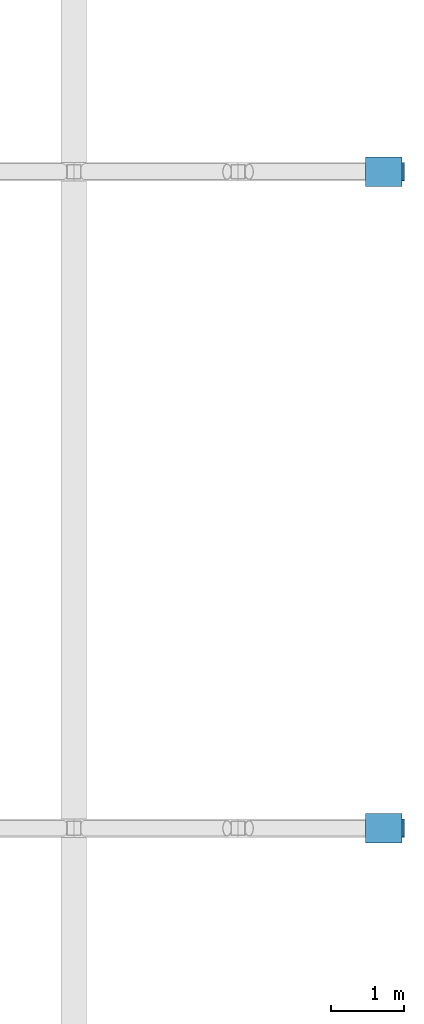
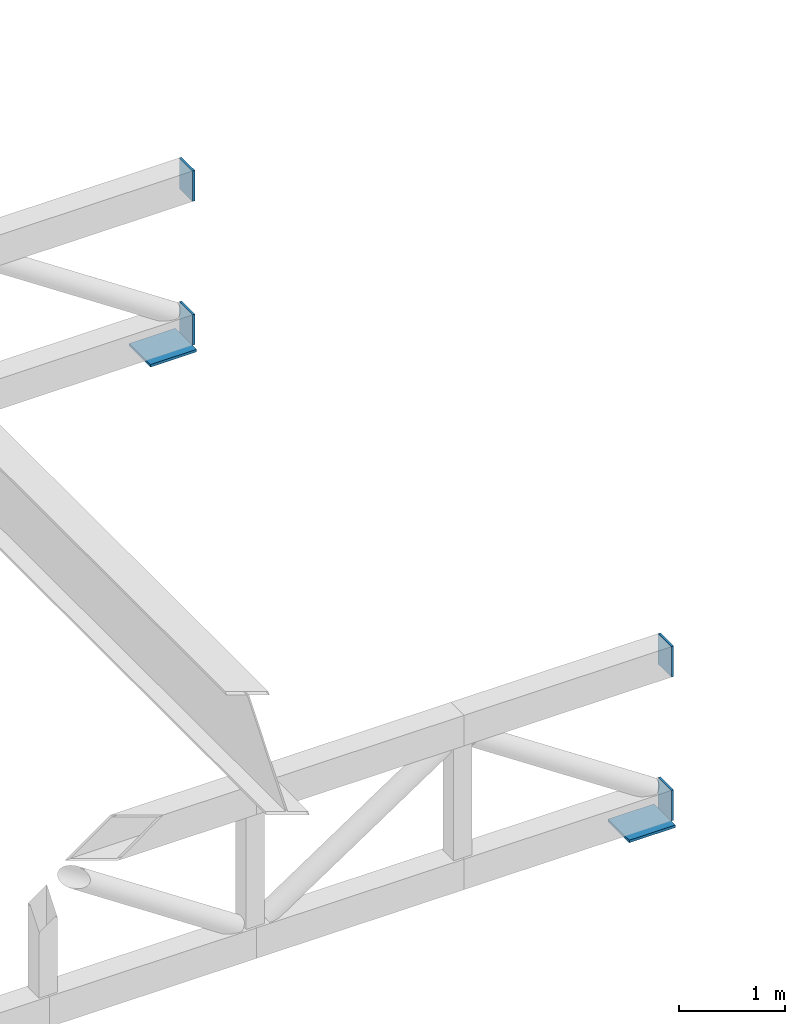
# One storey, part 18 of 20: 6 discrete accessories.
"""IFC4 building model written with IfcOpenShell, lengths in metres."""

from ifc_helpers import new_model, si_unit, direction, frame, origin, origin_2d, place, context, subcontext, project, spatial, rectangle, extrude, material, material_profile, profile_set, type_object, element, save


model = new_model("IFC4")

# Units and contexts
model_context = context("Model", 3, precision=1e-05, world=origin(), true_north=direction((0.0, 1.0)))
body_context = subcontext(model_context, "Body", "Model", "MODEL_VIEW")
ifc_project = project(units=[si_unit("LENGTHUNIT", "METRE"), si_unit("AREAUNIT", "SQUARE_METRE"), si_unit("VOLUMEUNIT", "CUBIC_METRE"), si_unit("PLANEANGLEUNIT", "RADIAN"), si_unit("MASSUNIT", "GRAM", prefix="KILO")], contexts=[model_context])

# Site, building, storey
site_placement = place(None, origin())
site = spatial("IfcSite", under=ifc_project, at=site_placement, CompositionType="ELEMENT")
building_placement = place(site_placement, origin())
building = spatial("IfcBuilding", under=site, at=building_placement, Name="Firuza Court", CompositionType="ELEMENT")
storey_placement = place(building_placement, frame((0.0, 0.0, 29.0)))
storey = spatial("IfcBuildingStorey", under=building, at=storey_placement, Name="L05", CompositionType="ELEMENT", Elevation=29.0)

# Discrete accessories
ifc_material_1 = material(Name="Steel S355", Category="steel")
discrete_accessory_type_1 = type_object("IfcDiscreteAccessoryType", Name="CAST-IN PLATE 500X400", PredefinedType="ANCHORPLATE", material=ifc_material_1)
for number, where, z_axis, x_axis, name in (
    (1, (134.75, 31.5, 0.97021484375), (0.0, 0.0, 1.0), (1.0, 0.0, 0.0), "Truss 1 cast-in plate"),
    (2, (134.75, 40.5, 0.97021484375), (0.0, 0.0, 1.0), (1.0, 0.0, 0.0), "Truss 2 cast-in plate"),
):
    element("IfcDiscreteAccessory", number, at=place(storey_placement, frame(where, z_axis=z_axis, x_axis=x_axis)), inside=storey, type_object=discrete_accessory_type_1, Name=name, PredefinedType="ANCHORPLATE", context=body_context, shape_type="SweptSolid", body=[
        extrude(rectangle(XDim=0.5, YDim=0.39990234375, at=origin_2d()), origin(), (0.0, 0.0, 1.0), 0.030029296875),
    ])
ifc_material_2 = material(Name="Steel S355", Category="steel")
ifc_material_profile = material_profile(ifc_material_2, rectangle(XDim=0.25, YDim=0.35009765625, at=origin_2d()), Name="PL 250X350")
ifc_profile_set = profile_set([ifc_material_profile], Name="Steel S355")
discrete_accessory_type_2 = type_object("IfcDiscreteAccessoryType", Name="STEEL BOX END PLATE 350X250", PredefinedType="NOTDEFINED", material=ifc_profile_set)
for number, where, z_axis, x_axis, name in (
    (3, (135.02490234375, 31.5, 1.175048828125), (-1.0, 0.0, 0.0), (0.0, -1.0, 0.0), "Truss 1 chord end plate"),
    (4, (135.02490234375, 31.5, 2.824951171875), (-1.0, 0.0, 0.0), (0.0, -1.0, 0.0), "Truss 1 chord end plate"),
    (5, (135.02490234375, 40.5, 1.175048828125), (-1.0, 0.0, 0.0), (0.0, -1.0, 0.0), "Truss 2 chord end plate"),
    (6, (135.02490234375, 40.5, 2.824951171875), (-1.0, 0.0, 0.0), (0.0, -1.0, 0.0), "Truss 2 chord end plate"),
):
    element("IfcDiscreteAccessory", number, at=place(storey_placement, frame(where, z_axis=z_axis, x_axis=x_axis)), inside=storey, type_object=discrete_accessory_type_2, Name=name, PredefinedType="NOTDEFINED", context=body_context, shape_type="SweptSolid", body=[
        extrude(rectangle(XDim=0.25, YDim=0.35009765625, at=origin_2d()), origin(), (0.0, 0.0, 1.0), 0.02490234375),
    ])

save(model, "model.ifc")
